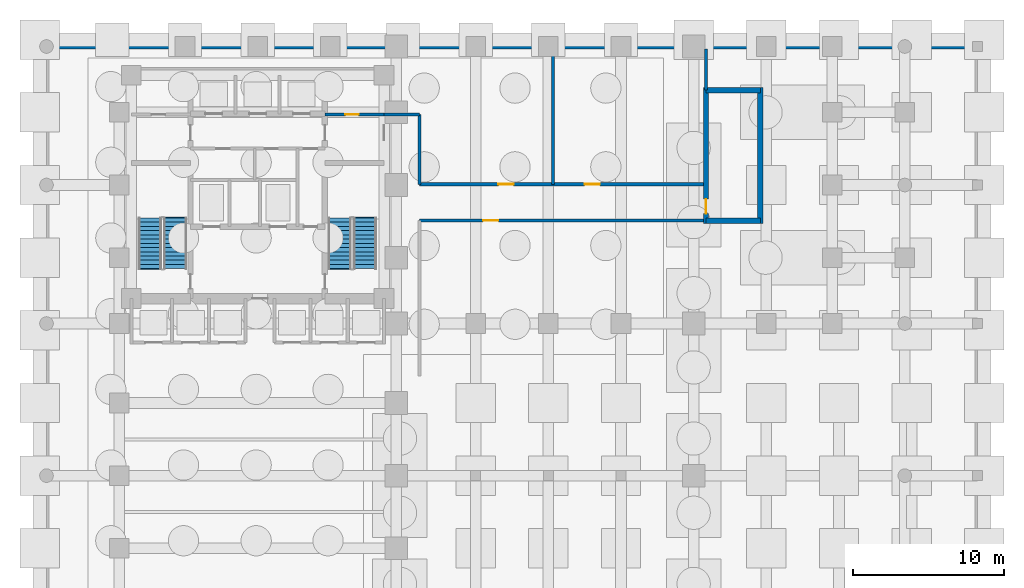
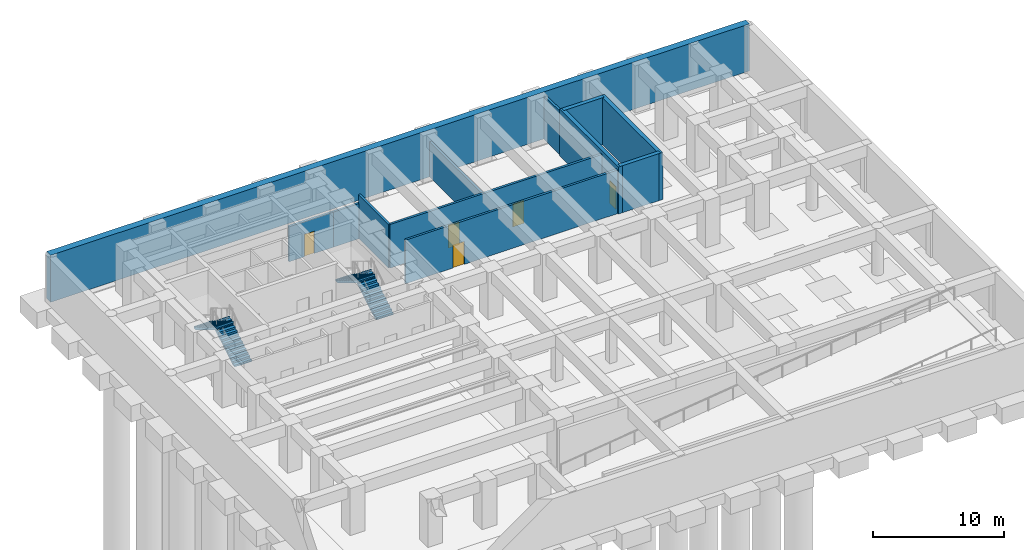
# One storey, part 5 of 8: 12 walls, 5 doors, 4 stair flights, 5 openings, 2 elements without a shape of their own.
"""IFC4 building model written with IfcOpenShell, lengths in metres."""

from ifc_helpers import new_model, si_unit, direction, frame, frame_2d, origin, place, context, subcontext, project, spatial, polyline, rectangle, outline, extrude, material, layer, layer_set, type_object, element, fill, aggregate, save


model = new_model("IFC4")

# Units and contexts
model_context = context("Model", 3, precision=1e-05, world=origin(), true_north=direction((0.0, 1.0)))
body_context = subcontext(model_context, "Body", "Model", "MODEL_VIEW")
ifc_project = project(units=[si_unit("LENGTHUNIT", "METRE"), si_unit("AREAUNIT", "SQUARE_METRE"), si_unit("VOLUMEUNIT", "CUBIC_METRE"), si_unit("PLANEANGLEUNIT", "RADIAN"), si_unit("MASSUNIT", "GRAM", prefix="KILO")], contexts=[model_context])

# Site, building, storey
site_placement = place(None, origin())
site = spatial("IfcSite", under=ifc_project, at=site_placement, CompositionType="ELEMENT")
building_placement = place(site_placement, origin())
building = spatial("IfcBuilding", under=site, at=building_placement, Name="Orvandelia Arch Residences", CompositionType="ELEMENT")
storey_placement = place(building_placement, frame((0.0, 0.0, -13.199951171875)))
storey = spatial("IfcBuildingStorey", under=building, at=storey_placement, Name="B3", CompositionType="ELEMENT", Elevation=-13.199951171875)

# Wall, opening, door
ifc_material_1 = material(Name="Concrete C50/60", Category="concrete")
ifc_layer_1 = layer(ifc_material_1, 0.35009765625, Name="Concrete C50/60", Category="concrete")
ifc_layer_set_1 = layer_set([ifc_layer_1], Name="Concrete C50/60")
wall_type_1 = type_object("IfcWallType", Name="WL-CORE-350", PredefinedType="SHEAR", material=ifc_layer_set_1)
wall_1_placement = place(storey_placement, frame((44.02001953125, 35.864990234375, 0.0), z_axis=(0.0, 0.0, 1.0), x_axis=(0.0, 1.0, 0.0)))
wall_1 = element("IfcWall", 1, at=wall_1_placement, inside=storey, type_object=wall_type_1, Name="East Stair Core Shear Wall B3-W", PredefinedType="SHEAR", context=body_context, shape_type="SweptSolid", body=[
    extrude(rectangle(XDim=8.969970703125, YDim=0.35009765625, at=frame_2d((4.48486328125, 0.0))), origin(), (0.0, 0.0, 1.0), 4.39990234375),
])
opening_1_placement = place(wall_1_placement, frame((0.64990234375, 0.0, 0.0)))
opening_1 = element("IfcOpeningElement", 2, at=opening_1_placement, cuts=wall_1, Name="Opening D7", PredefinedType="OPENING", context=body_context, shape_type="SweptSolid", body=[
    extrude(rectangle(XDim=0.949951171875, YDim=2.10009765625, at=frame_2d((0.47509765625, 1.050048828125))), frame((0.0, 0.18505859375, 0.0), z_axis=(0.0, -1.0, 0.0), x_axis=(1.0, 0.0, 0.0)), (0.0, 0.0, 1.0), 0.3701171875),
])
ifc_material_2 = material(Name="Pressurised Stairwell Fire Door")
door_type_1 = type_object("IfcDoorType", Name="DR-STAIR-950", OperationType="NOTDEFINED", PredefinedType="DOOR", material=ifc_material_2)
door_1_placement = place(opening_1_placement, origin())
door_1 = element("IfcDoor", 3, at=door_1_placement, inside=storey, type_object=door_type_1, Name="East Stairwell ST-3 Fire Door B3", OperationType="SINGLE_SWING_LEFT", OverallHeight=2.10009765625, OverallWidth=0.949951171875, PredefinedType="DOOR", context=body_context, shape_type="SweptSolid", body=[
    extrude(rectangle(XDim=0.949951171875, YDim=2.10009765625, at=frame_2d((0.47509765625, 1.050048828125))), frame((0.0, 0.02490234375, 0.0), z_axis=(0.0, -1.0, 0.0), x_axis=(1.0, 0.0, 0.0)), (0.0, 0.0, 1.0), 0.050048828125),
])
fill(opening_1, door_1)

# Walls
wall_2_placement = place(storey_placement, frame((47.60009765625, 35.864990234375, 0.0), z_axis=(0.0, 0.0, 1.0), x_axis=(0.0, 1.0, 0.0)))
element("IfcWall", 4, at=wall_2_placement, inside=storey, type_object=wall_type_1, Name="East Stair Core Shear Wall B3-E", PredefinedType="SHEAR", context=body_context, shape_type="SweptSolid", body=[
    extrude(rectangle(XDim=8.969970703125, YDim=0.35009765625, at=frame_2d((4.48486328125, 0.0))), origin(), (0.0, 0.0, 1.0), 4.39990234375),
])
for number, where, z_axis, x_axis, name in (
    (5, (44.02001953125, 36.0400390625, 0.0), (0.0, 0.0, 1.0), (1.0, 0.0, 0.0), "East Stair Core Shear Wall B3-S"),
    (6, (44.02001953125, 44.659912109375, 0.0), (0.0, 0.0, 1.0), (1.0, 0.0, 0.0), "East Stair Core Shear Wall B3-N"),
):
    element("IfcWall", number, at=place(storey_placement, frame(where, z_axis=z_axis, x_axis=x_axis)), inside=storey, type_object=wall_type_1, Name=name, PredefinedType="SHEAR", context=body_context, shape_type="SweptSolid", body=[
        extrude(rectangle(XDim=3.580078125, YDim=0.35009765625, at=frame_2d((1.7900390625, 0.0))), origin(), (0.0, 0.0, 1.0), 4.39990234375),
    ])

# Wall, opening, door
ifc_material_3 = material(Name="Fire-Rated Corridor Partition")
ifc_layer_2 = layer(ifc_material_3, 0.199951171875, Name="Fire-Rated Corridor Partition")
ifc_layer_set_2 = layer_set([ifc_layer_2], Name="Fire-Rated Corridor Partition")
wall_type_2 = type_object("IfcWallType", Name="WL-CORR-200", PredefinedType="PARTITIONING", material=ifc_layer_set_2)
wall_3_placement = place(storey_placement, frame((25.10009765625, 36.050048828125, 0.0), z_axis=(0.0, 0.0, 1.0), x_axis=(1.0, 0.0, 0.0)))
wall_3 = element("IfcWall", 7, at=wall_3_placement, inside=storey, type_object=wall_type_2, Name="Interior Partition Wall WL-B3-BC-S", PredefinedType="PARTITIONING", context=body_context, shape_type="SweptSolid", body=[
    extrude(rectangle(XDim=18.919921875, YDim=0.199951171875, at=frame_2d((9.4599609375, 0.0))), origin(), (0.0, 0.0, 1.0), 4.079833984375),
])
opening_2_placement = place(wall_3_placement, frame((4.199951171875, 0.0, 0.0)))
opening_2 = element("IfcOpeningElement", 8, at=opening_2_placement, cuts=wall_3, Name="Opening D6", PredefinedType="OPENING", context=body_context, shape_type="SweptSolid", body=[
    extrude(rectangle(XDim=1.0, YDim=2.14990234375, at=frame_2d((0.5, 1.074951171875))), frame((0.0, 0.10986328125, 0.0), z_axis=(0.0, -1.0, 0.0), x_axis=(1.0, 0.0, 0.0)), (0.0, 0.0, 1.0), 0.219970703125),
])
ifc_material_4 = material(Name="Smokeproof Painted Steel Fire Door", Category="steel")
door_type_2 = type_object("IfcDoorType", Name="DR-FD60-1000", OperationType="NOTDEFINED", PredefinedType="DOOR", material=ifc_material_4)
door_2_placement = place(opening_2_placement, origin())
door_2 = element("IfcDoor", 9, at=door_2_placement, inside=storey, type_object=door_type_2, Name="DR-B3-BCPRK", OperationType="SINGLE_SWING_LEFT", OverallHeight=2.14990234375, OverallWidth=1.0, PredefinedType="DOOR", context=body_context, shape_type="SweptSolid", body=[
    extrude(rectangle(XDim=1.0, YDim=2.14990234375, at=frame_2d((0.5, 1.074951171875))), frame((0.0, 0.02490234375, 0.0), z_axis=(0.0, -1.0, 0.0), x_axis=(1.0, 0.0, 0.0)), (0.0, 0.0, 1.0), 0.050048828125),
])
fill(opening_2, door_2)

# Wall, openings, doors
wall_4_placement = place(storey_placement, frame((25.10009765625, 38.449951171875, 0.0), z_axis=(0.0, 0.0, 1.0), x_axis=(1.0, 0.0, 0.0)))
wall_4 = element("IfcWall", 10, at=wall_4_placement, inside=storey, type_object=wall_type_2, Name="Interior Partition Wall WL-B3-BC-N", PredefinedType="PARTITIONING", context=body_context, shape_type="SweptSolid", body=[
    extrude(rectangle(XDim=18.919921875, YDim=0.199951171875, at=frame_2d((9.4599609375, 0.0))), origin(), (0.0, 0.0, 1.0), 4.079833984375),
])
opening_3_placement = place(wall_4_placement, frame((5.199951171875, 0.0, 0.0)))
opening_3 = element("IfcOpeningElement", 11, at=opening_3_placement, cuts=wall_4, Name="Opening D6", PredefinedType="OPENING", context=body_context, shape_type="SweptSolid", body=[
    extrude(rectangle(XDim=1.0, YDim=2.14990234375, at=frame_2d((0.5, 1.074951171875))), frame((0.0, 0.10986328125, 0.0), z_axis=(0.0, -1.0, 0.0), x_axis=(1.0, 0.0, 0.0)), (0.0, 0.0, 1.0), 0.219970703125),
])
opening_4_placement = place(wall_4_placement, frame((10.89990234375, 0.0, 0.0)))
opening_4 = element("IfcOpeningElement", 12, at=opening_4_placement, cuts=wall_4, Name="Opening D6", PredefinedType="OPENING", context=body_context, shape_type="SweptSolid", body=[
    extrude(rectangle(XDim=1.0, YDim=2.14990234375, at=frame_2d((0.5, 1.074951171875))), frame((0.0, 0.10986328125, 0.0), z_axis=(0.0, -1.0, 0.0), x_axis=(1.0, 0.0, 0.0)), (0.0, 0.0, 1.0), 0.219970703125),
])
door_3_placement = place(opening_3_placement, origin())
door_3 = element("IfcDoor", 13, at=door_3_placement, inside=storey, type_object=door_type_2, Name="DR-B3-BPLT1", OperationType="SINGLE_SWING_LEFT", OverallHeight=2.14990234375, OverallWidth=1.0, PredefinedType="DOOR", context=body_context, shape_type="SweptSolid", body=[
    extrude(rectangle(XDim=1.0, YDim=2.14990234375, at=frame_2d((0.5, 1.074951171875))), frame((0.0, 0.02490234375, 0.0), z_axis=(0.0, -1.0, 0.0), x_axis=(1.0, 0.0, 0.0)), (0.0, 0.0, 1.0), 0.050048828125),
])
fill(opening_3, door_3)
door_4_placement = place(opening_4_placement, origin())
door_4 = element("IfcDoor", 14, at=door_4_placement, inside=storey, type_object=door_type_2, Name="DR-B3-BPLT2", OperationType="SINGLE_SWING_RIGHT", OverallHeight=2.14990234375, OverallWidth=1.0, PredefinedType="DOOR", context=body_context, shape_type="SweptSolid", body=[
    extrude(rectangle(XDim=1.0, YDim=2.14990234375, at=frame_2d((0.5, 1.074951171875))), frame((0.0, 0.02490234375, 0.0), z_axis=(0.0, -1.0, 0.0), x_axis=(1.0, 0.0, 0.0)), (0.0, 0.0, 1.0), 0.050048828125),
])
fill(opening_4, door_4)

# Walls
wall_5_placement = place(storey_placement, frame((25.10009765625, 38.449951171875, 0.0), z_axis=(0.0, 0.0, 1.0), x_axis=(0.0, 1.0, 0.0)))
element("IfcWall", 15, at=wall_5_placement, inside=storey, type_object=wall_type_2, Name="Interior Partition Wall WL-B3-BC-E2", PredefinedType="PARTITIONING", context=body_context, shape_type="SweptSolid", body=[
    extrude(rectangle(XDim=4.60009765625, YDim=0.199951171875, at=frame_2d((2.300048828125, 0.0))), origin(), (0.0, 0.0, 1.0), 4.079833984375),
])
wall_6_placement = place(storey_placement, frame((22.75, 43.050048828125, 0.0), z_axis=(0.0, 0.0, 1.0), x_axis=(1.0, 0.0, 0.0)))
element("IfcWall", 16, at=wall_6_placement, inside=storey, type_object=wall_type_2, Name="Interior Partition Wall WL-B3-BC-NT", PredefinedType="PARTITIONING", context=body_context, shape_type="SweptSolid", body=[
    extrude(rectangle(XDim=2.35009765625, YDim=0.199951171875, at=frame_2d((1.175048828125, 0.0))), origin(), (0.0, 0.0, 1.0), 3.280029296875),
])
wall_7_placement = place(storey_placement, frame((33.919921875, 38.449951171875, 0.0), z_axis=(0.0, 0.0, 1.0), x_axis=(0.0, 1.0, 0.0)))
element("IfcWall", 17, at=wall_7_placement, inside=storey, type_object=wall_type_2, Name="Interior Partition Wall WL-B3-BPLT-M", PredefinedType="PARTITIONING", context=body_context, shape_type="SweptSolid", body=[
    extrude(rectangle(XDim=8.949951171875, YDim=0.199951171875, at=frame_2d((4.47509765625, 0.0))), origin(), (0.0, 0.0, 1.0), 3.280029296875),
])
wall_8_placement = place(storey_placement, frame((44.02001953125, 44.659912109375, 0.0), z_axis=(0.0, 0.0, 1.0), x_axis=(0.0, 1.0, 0.0)))
element("IfcWall", 18, at=wall_8_placement, inside=storey, type_object=wall_type_2, Name="Interior Partition Wall WL-B3-BPLT-E", PredefinedType="PARTITIONING", context=body_context, shape_type="SweptSolid", body=[
    extrude(rectangle(XDim=2.739990234375, YDim=0.199951171875, at=frame_2d((1.3701171875, 0.0))), origin(), (0.0, 0.0, 1.0), 4.079833984375),
])
ifc_layer_3 = layer(ifc_material_1, 0.60009765625, Name="Concrete C50/60", Category="concrete")
ifc_layer_set_3 = layer_set([ifc_layer_3], Name="Concrete C50/60")
wall_type_3 = type_object("IfcWallType", Name="WL-RET-600", PredefinedType="USERDEFINED", material=ifc_layer_set_3)
wall_9_placement = place(storey_placement, frame((62.10009765625, 47.699951171875, 0.0), z_axis=(0.0, 0.0, 1.0), x_axis=(-1.0, 0.0, 0.0)))
element("IfcWall", 19, at=wall_9_placement, inside=storey, type_object=wall_type_3, Name="Basement Diaphragm Retaining Wall B3-N", ObjectType="RETAININGWALL", PredefinedType="USERDEFINED", context=body_context, shape_type="SweptSolid", body=[
    extrude(rectangle(XDim=61.800048828125, YDim=0.60009765625, at=frame_2d((30.89990234375, 0.0))), origin(), (0.0, 0.0, 1.0), 4.39990234375),
])

# Wall, opening, door
ifc_material_5 = material(Name="Fire-Rated Shaft Enclosure Wall")
ifc_layer_4 = layer(ifc_material_5, 0.199951171875, Name="Fire-Rated Shaft Enclosure Wall")
ifc_layer_set_4 = layer_set([ifc_layer_4], Name="Fire-Rated Shaft Enclosure Wall")
wall_type_4 = type_object("IfcWallType", Name="WL-SHAFT-200", PredefinedType="POLYGONAL", material=ifc_layer_set_4)
wall_10_placement = place(storey_placement, frame((18.840087890625, 43.050048828125, 0.0), z_axis=(0.0, 0.0, 1.0), x_axis=(1.0, 0.0, 0.0)))
wall_10 = element("IfcWall", 20, at=wall_10_placement, inside=storey, type_object=wall_type_4, Name="Interior Partition Wall WL-B3-HLE-N", PredefinedType="POLYGONAL", context=body_context, shape_type="SweptSolid", body=[
    extrude(rectangle(XDim=3.909912109375, YDim=0.199951171875, at=frame_2d((1.955078125, 0.0))), origin(), (0.0, 0.0, 1.0), 3.280029296875),
])
opening_5_placement = place(wall_10_placement, frame((1.35009765625, 0.0, 0.0)))
opening_5 = element("IfcOpeningElement", 21, at=opening_5_placement, cuts=wall_10, Name="Opening D5", PredefinedType="OPENING", context=body_context, shape_type="SweptSolid", body=[
    extrude(rectangle(XDim=0.8798828125, YDim=2.10009765625, at=frame_2d((0.43994140625, 1.050048828125))), frame((0.0, 0.10986328125, 0.0), z_axis=(0.0, -1.0, 0.0), x_axis=(1.0, 0.0, 0.0)), (0.0, 0.0, 1.0), 0.219970703125),
])
ifc_material_6 = material(Name="Painted Galvanised Steel Service Door", Category="steel")
door_type_3 = type_object("IfcDoorType", Name="DR-SRV-880", OperationType="NOTDEFINED", PredefinedType="DOOR", material=ifc_material_6)
door_5_placement = place(opening_5_placement, origin())
door_5 = element("IfcDoor", 22, at=door_5_placement, inside=storey, type_object=door_type_3, Name="DR-B3-CSB1", OperationType="SINGLE_SWING_LEFT", OverallHeight=2.10009765625, OverallWidth=0.8798828125, PredefinedType="DOOR", context=body_context, shape_type="SweptSolid", body=[
    extrude(rectangle(XDim=0.8798828125, YDim=2.10009765625, at=frame_2d((0.43994140625, 1.050048828125))), frame((0.0, 0.02490234375, 0.0), z_axis=(0.0, -1.0, 0.0), x_axis=(1.0, 0.0, 0.0)), (0.0, 0.0, 1.0), 0.050048828125),
])
fill(opening_5, door_5)

# Stair, stair flights
ifc_material_7 = material(Name="Concrete C40/50", Category="concrete")
stair_type = type_object("IfcStairType", Name="STAIR-RC-DOGLEG", PredefinedType="HALF_TURN_STAIR", material=ifc_material_7)
stair_1_placement = place(storey_placement, origin())
stair_1 = element("IfcStair", 23, at=stair_1_placement, inside=storey, type_object=stair_type, Name="B3 Protected Exit Stair ST-1", PredefinedType="HALF_TURN_STAIR")
stair_flight_type = type_object("IfcStairFlightType", Name="STFLT-RC-1520", PredefinedType="STRAIGHT", material=ifc_material_7)
stair_flight_1_placement = place(storey_placement, frame((8.9599609375, 32.8701171875, 0.0), z_axis=(0.0, 0.0, 1.0), x_axis=(0.0, 1.0, 0.0)))
stair_flight_1 = element("IfcStairFlight", 24, at=stair_flight_1_placement, type_object=stair_flight_type, Name="ST-1 flight 1", NumberOfRisers=13, NumberOfTreads=12, PredefinedType="STRAIGHT", RiserHeight=0.169230769, TreadLength=0.28, context=body_context, shape_type="SweptSolid", body=[
    extrude(outline(polyline([(0.0, 0.0), (0.0, 0.169189453125), (0.280029296875, 0.169189453125), (0.280029296875, 0.33837890625), (0.56005859375, 0.33837890625), (0.56005859375, 0.5078125), (0.840087890625, 0.5078125), (0.840087890625, 0.677001953125), (1.1201171875, 0.677001953125), (1.1201171875, 0.84619140625), (1.39990234375, 0.84619140625), (1.39990234375, 1.015380859375), (1.679931640625, 1.015380859375), (1.679931640625, 1.1845703125), (1.9599609375, 1.1845703125), (1.9599609375, 1.353759765625), (2.239990234375, 1.353759765625), (2.239990234375, 1.523193359375), (2.52001953125, 1.523193359375), (2.52001953125, 1.6923828125), (2.800048828125, 1.6923828125), (2.800048828125, 1.861572265625), (3.080078125, 1.861572265625), (3.080078125, 2.03076171875), (3.360107421875, 2.03076171875), (3.360107421875, 2.199951171875), (3.419921875, 2.199951171875), (3.419921875, 2.02001953125), (3.360107421875, 1.855712890625), (0.289794921875, 0.0), (0.0, 0.0)])), frame((0.0, 0.760009765625, 0.0), z_axis=(0.0, -1.0, 0.0), x_axis=(1.0, 0.0, 0.0)), (0.0, 0.0, 1.0), 1.52001953125),
])
stair_flight_2_placement = place(storey_placement, frame((7.2900390625, 36.22998046875, 2.199951171875), z_axis=(0.0, 0.0, 1.0), x_axis=(0.0, -1.0, 0.0)))
stair_flight_2 = element("IfcStairFlight", 25, at=stair_flight_2_placement, type_object=stair_flight_type, Name="ST-1 flight 2", NumberOfRisers=13, NumberOfTreads=12, PredefinedType="STRAIGHT", RiserHeight=0.169230769, TreadLength=0.28, context=body_context, shape_type="SweptSolid", body=[
    extrude(outline(polyline([(0.0, 0.0), (0.0, 0.169189453125), (0.280029296875, 0.169189453125), (0.280029296875, 0.33837890625), (0.56005859375, 0.33837890625), (0.56005859375, 0.5078125), (0.840087890625, 0.5078125), (0.840087890625, 0.677001953125), (1.1201171875, 0.677001953125), (1.1201171875, 0.84619140625), (1.39990234375, 0.84619140625), (1.39990234375, 1.015380859375), (1.679931640625, 1.015380859375), (1.679931640625, 1.1845703125), (1.9599609375, 1.1845703125), (1.9599609375, 1.353759765625), (2.239990234375, 1.353759765625), (2.239990234375, 1.523193359375), (2.52001953125, 1.523193359375), (2.52001953125, 1.6923828125), (2.800048828125, 1.6923828125), (2.800048828125, 1.861572265625), (3.080078125, 1.861572265625), (3.080078125, 2.03076171875), (3.360107421875, 2.03076171875), (3.360107421875, 2.199951171875), (3.419921875, 2.199951171875), (3.419921875, 2.02001953125), (3.360107421875, 1.855712890625), (0.289794921875, 0.0), (0.0, 0.0)])), frame((0.0, 0.760009765625, 0.0), z_axis=(0.0, -1.0, 0.0), x_axis=(1.0, 0.0, 0.0)), (0.0, 0.0, 1.0), 1.52001953125),
])
aggregate(stair_1, [stair_flight_1, stair_flight_2])

stair_2_placement = place(storey_placement, origin())
stair_2 = element("IfcStair", 26, at=stair_2_placement, inside=storey, type_object=stair_type, Name="B3 Protected Exit Stair ST-2", PredefinedType="HALF_TURN_STAIR")
stair_flight_3_placement = place(storey_placement, frame((21.489990234375, 32.8701171875, 0.0), z_axis=(0.0, 0.0, 1.0), x_axis=(0.0, 1.0, 0.0)))
stair_flight_3 = element("IfcStairFlight", 27, at=stair_flight_3_placement, type_object=stair_flight_type, Name="ST-2 flight 1", NumberOfRisers=13, NumberOfTreads=12, PredefinedType="STRAIGHT", RiserHeight=0.169230769, TreadLength=0.28, context=body_context, shape_type="SweptSolid", body=[
    extrude(outline(polyline([(0.0, 0.0), (0.0, 0.169189453125), (0.280029296875, 0.169189453125), (0.280029296875, 0.33837890625), (0.56005859375, 0.33837890625), (0.56005859375, 0.5078125), (0.840087890625, 0.5078125), (0.840087890625, 0.677001953125), (1.1201171875, 0.677001953125), (1.1201171875, 0.84619140625), (1.39990234375, 0.84619140625), (1.39990234375, 1.015380859375), (1.679931640625, 1.015380859375), (1.679931640625, 1.1845703125), (1.9599609375, 1.1845703125), (1.9599609375, 1.353759765625), (2.239990234375, 1.353759765625), (2.239990234375, 1.523193359375), (2.52001953125, 1.523193359375), (2.52001953125, 1.6923828125), (2.800048828125, 1.6923828125), (2.800048828125, 1.861572265625), (3.080078125, 1.861572265625), (3.080078125, 2.03076171875), (3.360107421875, 2.03076171875), (3.360107421875, 2.199951171875), (3.419921875, 2.199951171875), (3.419921875, 2.02001953125), (3.360107421875, 1.855712890625), (0.289794921875, 0.0), (0.0, 0.0)])), frame((0.0, 0.760009765625, 0.0), z_axis=(0.0, -1.0, 0.0), x_axis=(1.0, 0.0, 0.0)), (0.0, 0.0, 1.0), 1.52001953125),
])
stair_flight_4_placement = place(storey_placement, frame((19.820068359375, 36.22998046875, 2.199951171875), z_axis=(0.0, 0.0, 1.0), x_axis=(0.0, -1.0, 0.0)))
stair_flight_4 = element("IfcStairFlight", 28, at=stair_flight_4_placement, type_object=stair_flight_type, Name="ST-2 flight 2", NumberOfRisers=13, NumberOfTreads=12, PredefinedType="STRAIGHT", RiserHeight=0.169230769, TreadLength=0.28, context=body_context, shape_type="SweptSolid", body=[
    extrude(outline(polyline([(0.0, 0.0), (0.0, 0.169189453125), (0.280029296875, 0.169189453125), (0.280029296875, 0.33837890625), (0.56005859375, 0.33837890625), (0.56005859375, 0.5078125), (0.840087890625, 0.5078125), (0.840087890625, 0.677001953125), (1.1201171875, 0.677001953125), (1.1201171875, 0.84619140625), (1.39990234375, 0.84619140625), (1.39990234375, 1.015380859375), (1.679931640625, 1.015380859375), (1.679931640625, 1.1845703125), (1.9599609375, 1.1845703125), (1.9599609375, 1.353759765625), (2.239990234375, 1.353759765625), (2.239990234375, 1.523193359375), (2.52001953125, 1.523193359375), (2.52001953125, 1.6923828125), (2.800048828125, 1.6923828125), (2.800048828125, 1.861572265625), (3.080078125, 1.861572265625), (3.080078125, 2.03076171875), (3.360107421875, 2.03076171875), (3.360107421875, 2.199951171875), (3.419921875, 2.199951171875), (3.419921875, 2.02001953125), (3.360107421875, 1.855712890625), (0.289794921875, 0.0), (0.0, 0.0)])), frame((0.0, 0.760009765625, 0.0), z_axis=(0.0, -1.0, 0.0), x_axis=(1.0, 0.0, 0.0)), (0.0, 0.0, 1.0), 1.52001953125),
])
aggregate(stair_2, [stair_flight_3, stair_flight_4])

save(model, "model.ifc")
